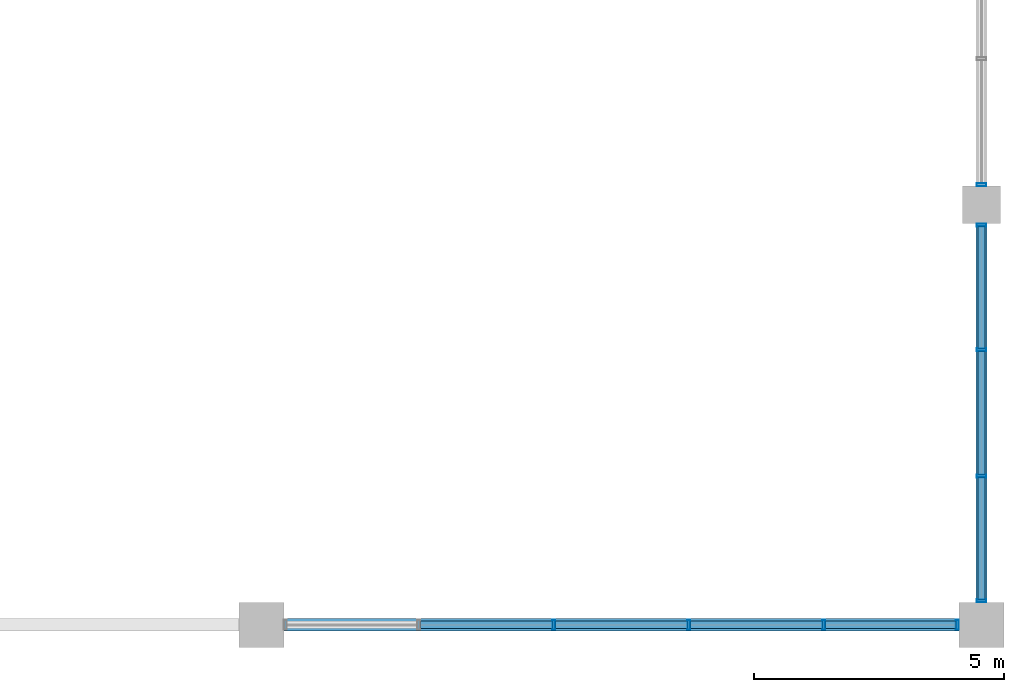
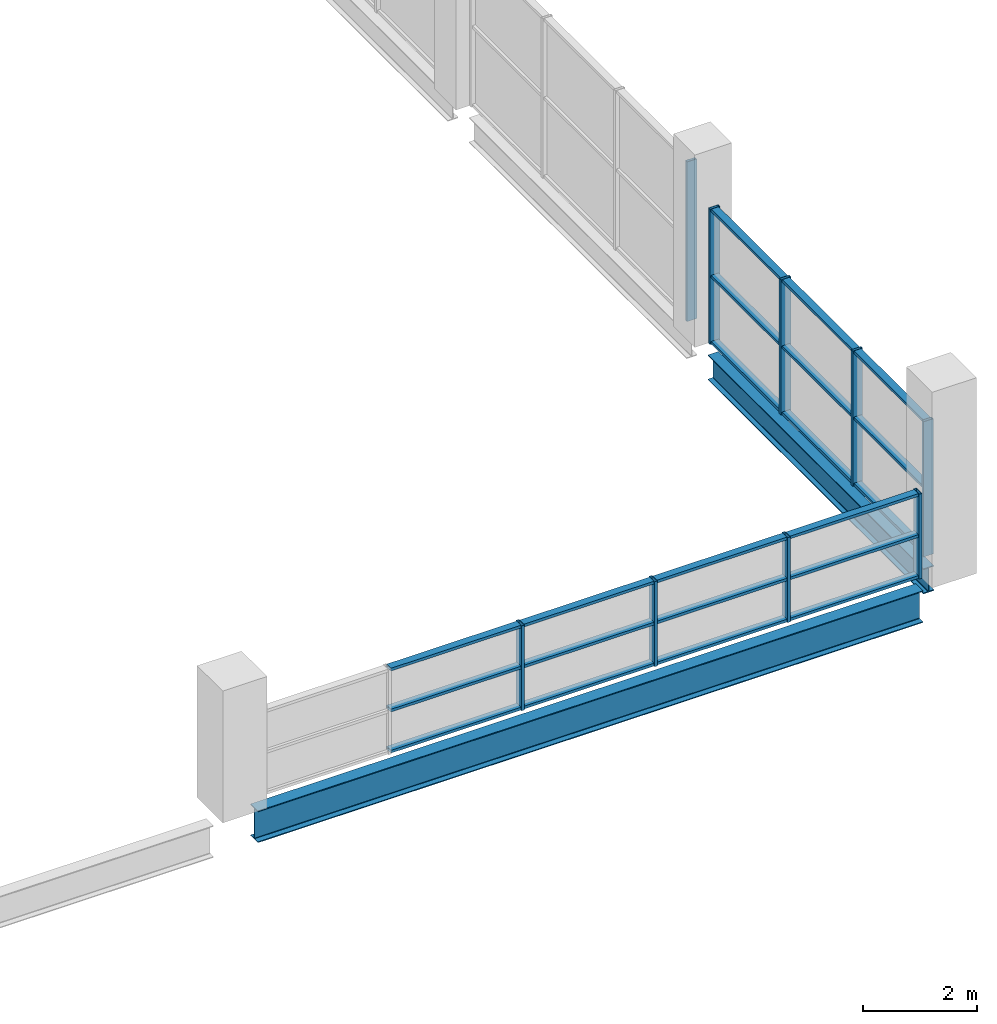
# One storey, part 24 of 68: 30 members, 2 beams, 3 elements without a shape of their own.
"""IFC4 building model written with IfcOpenShell, lengths in metres."""

from ifc_helpers import new_model, si_unit, direction, frame, origin, origin_2d, place, context, subcontext, project, spatial, hollow_rectangle, i_section, extrude, material, material_profile, profile_set, type_object, element, aggregate, save


model = new_model("IFC4")

# Units and contexts
model_context = context("Model", 3, precision=1e-05, world=origin(), true_north=direction((0.0, 1.0)))
body_context = subcontext(model_context, "Body", "Model", "MODEL_VIEW")
ifc_project = project(units=[si_unit("LENGTHUNIT", "METRE"), si_unit("AREAUNIT", "SQUARE_METRE"), si_unit("VOLUMEUNIT", "CUBIC_METRE"), si_unit("PLANEANGLEUNIT", "RADIAN"), si_unit("MASSUNIT", "GRAM", prefix="KILO"), si_unit("THERMODYNAMICTEMPERATUREUNIT", "KELVIN")], contexts=[model_context])

# Site, building, storey
site_placement = place(None, origin())
site = spatial("IfcSite", under=ifc_project, at=site_placement, CompositionType="ELEMENT")
building_placement = place(site_placement, origin())
building = spatial("IfcBuilding", under=site, at=building_placement, Name="Nduvali Passage Aquatics Centre", CompositionType="ELEMENT")
storey_placement = place(building_placement, frame((0.0, 0.0, 13.199951171875)))
storey = spatial("IfcBuildingStorey", under=building, at=storey_placement, Name="L03", CompositionType="ELEMENT", Elevation=13.199951171875)

# Curtain wall, members
ifc_material_1 = material(Name="Aluminium EN AW-6063 T6", Category="aluminium")
curtain_wall_type = type_object("IfcCurtainWallType", Name="ENV-CW-CLER", PredefinedType="NOTDEFINED", material=ifc_material_1)
curtain_wall_1_placement = place(storey_placement, origin())
curtain_wall_1 = element("IfcCurtainWall", 1, at=curtain_wall_1_placement, inside=storey, type_object=curtain_wall_type, Name="L03 East Passage Pool Hall High Arch Clerestory 017", PredefinedType="NOTDEFINED")
ifc_material_profile_1 = material_profile(ifc_material_1, hollow_rectangle(XDim=0.06005859375, YDim=0.199951171875, WallThickness=0.00390625, at=origin_2d()), Name="ALU MULLION 60x200x4")
ifc_profile_set_1 = profile_set([ifc_material_profile_1], Name="Aluminium EN AW-6063 T6")
member_type_1 = type_object("IfcMemberType", Name="ENV-MEM-MUL80", PredefinedType="MULLION", material=ifc_profile_set_1)
member_1_placement = place(storey_placement, frame((126.0, 25.679931640625, 0.0), z_axis=(0.0, 0.0, 1.0), x_axis=(0.0, 1.0, 0.0)))
member_1 = element("IfcMember", 2, at=member_1_placement, type_object=member_type_1, Name="East Passage Pool Hall High Arch Clerestory Mullion 1", PredefinedType="MULLION", context=body_context, shape_type="SweptSolid", body=[
    extrude(hollow_rectangle(XDim=0.06005859375, YDim=0.199951171875, WallThickness=0.00390625, at=origin_2d()), origin(), (0.0, 0.0, 1.0), 2.900146484375),
])
member_2_placement = place(storey_placement, frame((126.0, 28.175048828125, 0.0), z_axis=(0.0, 0.0, 1.0), x_axis=(0.0, 1.0, 0.0)))
member_2 = element("IfcMember", 3, at=member_2_placement, type_object=member_type_1, Name="East Passage Pool Hall High Arch Clerestory Mullion 2", PredefinedType="MULLION", context=body_context, shape_type="SweptSolid", body=[
    extrude(hollow_rectangle(XDim=0.06005859375, YDim=0.199951171875, WallThickness=0.00390625, at=origin_2d()), origin(), (0.0, 0.0, 1.0), 2.900146484375),
])
member_3_placement = place(storey_placement, frame((126.0, 30.699951171875, 0.0), z_axis=(0.0, 0.0, 1.0), x_axis=(0.0, 1.0, 0.0)))
member_3 = element("IfcMember", 4, at=member_3_placement, type_object=member_type_1, Name="East Passage Pool Hall High Arch Clerestory Mullion 3", PredefinedType="MULLION", context=body_context, shape_type="SweptSolid", body=[
    extrude(hollow_rectangle(XDim=0.06005859375, YDim=0.199951171875, WallThickness=0.00390625, at=origin_2d()), origin(), (0.0, 0.0, 1.0), 2.900146484375),
])
member_4_placement = place(storey_placement, frame((126.0, 33.195068359375, 0.0), z_axis=(0.0, 0.0, 1.0), x_axis=(0.0, 1.0, 0.0)))
member_4 = element("IfcMember", 5, at=member_4_placement, type_object=member_type_1, Name="East Passage Pool Hall High Arch Clerestory Mullion 4", PredefinedType="MULLION", context=body_context, shape_type="SweptSolid", body=[
    extrude(hollow_rectangle(XDim=0.06005859375, YDim=0.199951171875, WallThickness=0.00390625, at=origin_2d()), origin(), (0.0, 0.0, 1.0), 2.900146484375),
])

# Curtain wall, member
curtain_wall_2_placement = place(storey_placement, origin())
curtain_wall_2 = element("IfcCurtainWall", 6, at=curtain_wall_2_placement, inside=storey, type_object=curtain_wall_type, Name="L03 East Passage Pool Hall High Arch Clerestory 021", PredefinedType="NOTDEFINED")
member_5_placement = place(storey_placement, frame((126.0, 34.0048828125, 0.0), z_axis=(0.0, 0.0, 1.0), x_axis=(0.0, 1.0, 0.0)))
member_5 = element("IfcMember", 7, at=member_5_placement, type_object=member_type_1, Name="East Passage Pool Hall High Arch Clerestory Mullion 1", PredefinedType="MULLION", context=body_context, shape_type="SweptSolid", body=[
    extrude(hollow_rectangle(XDim=0.06005859375, YDim=0.199951171875, WallThickness=0.00390625, at=origin_2d()), origin(), (0.0, 0.0, 1.0), 3.4267578125),
])
aggregate(curtain_wall_2, [member_5])

# Curtain wall, members
curtain_wall_3_placement = place(storey_placement, origin())
curtain_wall_3 = element("IfcCurtainWall", 8, at=curtain_wall_3_placement, inside=storey, type_object=curtain_wall_type, Name="L03 South Pool Hall Upper Saddle Clerestory 053", PredefinedType="NOTDEFINED")
member_6_placement = place(storey_placement, frame((117.449951171875, 25.199951171875, 0.0), z_axis=(0.0, 0.0, 1.0), x_axis=(1.0, 0.0, 0.0)))
member_6 = element("IfcMember", 9, at=member_6_placement, type_object=member_type_1, Name="South Pool Hall Upper Saddle Clerestory Mullion 3", PredefinedType="MULLION", context=body_context, shape_type="SweptSolid", body=[
    extrude(hollow_rectangle(XDim=0.06005859375, YDim=0.199951171875, WallThickness=0.00390625, at=origin_2d()), origin(), (0.0, 0.0, 1.0), 1.821044921875),
])
member_7_placement = place(storey_placement, frame((120.14990234375, 25.199951171875, 0.0), z_axis=(0.0, 0.0, 1.0), x_axis=(1.0, 0.0, 0.0)))
member_7 = element("IfcMember", 10, at=member_7_placement, type_object=member_type_1, Name="South Pool Hall Upper Saddle Clerestory Mullion 4", PredefinedType="MULLION", context=body_context, shape_type="SweptSolid", body=[
    extrude(hollow_rectangle(XDim=0.06005859375, YDim=0.199951171875, WallThickness=0.00390625, at=origin_2d()), origin(), (0.0, 0.0, 1.0), 1.821044921875),
])
member_8_placement = place(storey_placement, frame((122.85009765625, 25.199951171875, 0.0), z_axis=(0.0, 0.0, 1.0), x_axis=(1.0, 0.0, 0.0)))
member_8 = element("IfcMember", 11, at=member_8_placement, type_object=member_type_1, Name="South Pool Hall Upper Saddle Clerestory Mullion 5", PredefinedType="MULLION", context=body_context, shape_type="SweptSolid", body=[
    extrude(hollow_rectangle(XDim=0.06005859375, YDim=0.199951171875, WallThickness=0.00390625, at=origin_2d()), origin(), (0.0, 0.0, 1.0), 1.821044921875),
])
member_9_placement = place(storey_placement, frame((125.52001953125, 25.199951171875, 0.0), z_axis=(0.0, 0.0, 1.0), x_axis=(1.0, 0.0, 0.0)))
member_9 = element("IfcMember", 12, at=member_9_placement, type_object=member_type_1, Name="South Pool Hall Upper Saddle Clerestory Mullion 6", PredefinedType="MULLION", context=body_context, shape_type="SweptSolid", body=[
    extrude(hollow_rectangle(XDim=0.06005859375, YDim=0.199951171875, WallThickness=0.00390625, at=origin_2d()), origin(), (0.0, 0.0, 1.0), 1.821044921875),
])

# Member
ifc_material_profile_2 = material_profile(ifc_material_1, hollow_rectangle(XDim=0.14990234375, YDim=0.06005859375, WallThickness=0.00390625, at=origin_2d()), Name="ALU TRANSOM 150x60x4")
ifc_profile_set_2 = profile_set([ifc_material_profile_2], Name="Aluminium EN AW-6063 T6")
member_type_2 = type_object("IfcMemberType", Name="ENV-MEM-TRN80", PredefinedType="USERDEFINED", material=ifc_profile_set_2)
member_10_placement = place(storey_placement, frame((126.0, 25.7099609375, 0.030029296875), z_axis=(0.0, 1.0, 0.0), x_axis=(-1.0, 0.0, 0.0)))
member_10 = element("IfcMember", 13, at=member_10_placement, type_object=member_type_2, Name="East Passage Pool Hall High Arch Clerestory Transom B1-R0", ObjectType="TRANSOM", PredefinedType="USERDEFINED", context=body_context, shape_type="SweptSolid", body=[
    extrude(hollow_rectangle(XDim=0.14990234375, YDim=0.06005859375, WallThickness=0.00390625, at=origin_2d()), origin(), (0.0, 0.0, 1.0), 2.43505859375),
])

member_11_placement = place(storey_placement, frame((126.0, 25.7099609375, 1.449951171875), z_axis=(0.0, 1.0, 0.0), x_axis=(-1.0, 0.0, 0.0)))
member_11 = element("IfcMember", 14, at=member_11_placement, type_object=member_type_2, Name="East Passage Pool Hall High Arch Clerestory Transom B1-R1", ObjectType="TRANSOM", PredefinedType="USERDEFINED", context=body_context, shape_type="SweptSolid", body=[
    extrude(hollow_rectangle(XDim=0.14990234375, YDim=0.06005859375, WallThickness=0.00390625, at=origin_2d()), origin(), (0.0, 0.0, 1.0), 2.43505859375),
])

member_12_placement = place(storey_placement, frame((126.0, 25.7099609375, 2.8701171875), z_axis=(0.0, 1.0, 0.0), x_axis=(-1.0, 0.0, 0.0)))
member_12 = element("IfcMember", 15, at=member_12_placement, type_object=member_type_2, Name="East Passage Pool Hall High Arch Clerestory Transom B1-R2", ObjectType="TRANSOM", PredefinedType="USERDEFINED", context=body_context, shape_type="SweptSolid", body=[
    extrude(hollow_rectangle(XDim=0.14990234375, YDim=0.06005859375, WallThickness=0.00390625, at=origin_2d()), origin(), (0.0, 0.0, 1.0), 2.43505859375),
])

member_13_placement = place(storey_placement, frame((126.0, 28.205078125, 0.030029296875), z_axis=(0.0, 1.0, 0.0), x_axis=(-1.0, 0.0, 0.0)))
member_13 = element("IfcMember", 16, at=member_13_placement, type_object=member_type_2, Name="East Passage Pool Hall High Arch Clerestory Transom B2-R0", ObjectType="TRANSOM", PredefinedType="USERDEFINED", context=body_context, shape_type="SweptSolid", body=[
    extrude(hollow_rectangle(XDim=0.14990234375, YDim=0.06005859375, WallThickness=0.00390625, at=origin_2d()), origin(), (0.0, 0.0, 1.0), 2.46484375),
])

member_14_placement = place(storey_placement, frame((126.0, 28.205078125, 1.449951171875), z_axis=(0.0, 1.0, 0.0), x_axis=(-1.0, 0.0, 0.0)))
member_14 = element("IfcMember", 17, at=member_14_placement, type_object=member_type_2, Name="East Passage Pool Hall High Arch Clerestory Transom B2-R1", ObjectType="TRANSOM", PredefinedType="USERDEFINED", context=body_context, shape_type="SweptSolid", body=[
    extrude(hollow_rectangle(XDim=0.14990234375, YDim=0.06005859375, WallThickness=0.00390625, at=origin_2d()), origin(), (0.0, 0.0, 1.0), 2.46484375),
])

member_15_placement = place(storey_placement, frame((126.0, 28.205078125, 2.8701171875), z_axis=(0.0, 1.0, 0.0), x_axis=(-1.0, 0.0, 0.0)))
member_15 = element("IfcMember", 18, at=member_15_placement, type_object=member_type_2, Name="East Passage Pool Hall High Arch Clerestory Transom B2-R2", ObjectType="TRANSOM", PredefinedType="USERDEFINED", context=body_context, shape_type="SweptSolid", body=[
    extrude(hollow_rectangle(XDim=0.14990234375, YDim=0.06005859375, WallThickness=0.00390625, at=origin_2d()), origin(), (0.0, 0.0, 1.0), 2.46484375),
])

member_16_placement = place(storey_placement, frame((126.0, 30.72998046875, 0.030029296875), z_axis=(0.0, 1.0, 0.0), x_axis=(-1.0, 0.0, 0.0)))
member_16 = element("IfcMember", 19, at=member_16_placement, type_object=member_type_2, Name="East Passage Pool Hall High Arch Clerestory Transom B3-R0", ObjectType="TRANSOM", PredefinedType="USERDEFINED", context=body_context, shape_type="SweptSolid", body=[
    extrude(hollow_rectangle(XDim=0.14990234375, YDim=0.06005859375, WallThickness=0.00390625, at=origin_2d()), origin(), (0.0, 0.0, 1.0), 2.43505859375),
])

member_17_placement = place(storey_placement, frame((126.0, 30.72998046875, 1.449951171875), z_axis=(0.0, 1.0, 0.0), x_axis=(-1.0, 0.0, 0.0)))
member_17 = element("IfcMember", 20, at=member_17_placement, type_object=member_type_2, Name="East Passage Pool Hall High Arch Clerestory Transom B3-R1", ObjectType="TRANSOM", PredefinedType="USERDEFINED", context=body_context, shape_type="SweptSolid", body=[
    extrude(hollow_rectangle(XDim=0.14990234375, YDim=0.06005859375, WallThickness=0.00390625, at=origin_2d()), origin(), (0.0, 0.0, 1.0), 2.43505859375),
])

member_18_placement = place(storey_placement, frame((126.0, 30.72998046875, 2.8701171875), z_axis=(0.0, 1.0, 0.0), x_axis=(-1.0, 0.0, 0.0)))
member_18 = element("IfcMember", 21, at=member_18_placement, type_object=member_type_2, Name="East Passage Pool Hall High Arch Clerestory Transom B3-R2", ObjectType="TRANSOM", PredefinedType="USERDEFINED", context=body_context, shape_type="SweptSolid", body=[
    extrude(hollow_rectangle(XDim=0.14990234375, YDim=0.06005859375, WallThickness=0.00390625, at=origin_2d()), origin(), (0.0, 0.0, 1.0), 2.43505859375),
])

aggregate(curtain_wall_1, [member_1, member_2, member_3, member_4, member_10, member_11, member_12, member_13, member_14, member_15, member_16, member_17, member_18])

member_19_placement = place(storey_placement, frame((114.780029296875, 25.199951171875, 0.030029296875), z_axis=(1.0, 0.0, 0.0), x_axis=(0.0, 1.0, 0.0)))
member_19 = element("IfcMember", 22, at=member_19_placement, type_object=member_type_2, Name="South Pool Hall Upper Saddle Clerestory Transom B2-R0", ObjectType="TRANSOM", PredefinedType="USERDEFINED", context=body_context, shape_type="SweptSolid", body=[
    extrude(hollow_rectangle(XDim=0.14990234375, YDim=0.06005859375, WallThickness=0.00390625, at=origin_2d()), origin(), (0.0, 0.0, 1.0), 2.639892578125),
])

member_20_placement = place(storey_placement, frame((114.780029296875, 25.199951171875, 0.91064453125), z_axis=(1.0, 0.0, 0.0), x_axis=(0.0, 1.0, 0.0)))
member_20 = element("IfcMember", 23, at=member_20_placement, type_object=member_type_2, Name="South Pool Hall Upper Saddle Clerestory Transom B2-R1", ObjectType="TRANSOM", PredefinedType="USERDEFINED", context=body_context, shape_type="SweptSolid", body=[
    extrude(hollow_rectangle(XDim=0.14990234375, YDim=0.06005859375, WallThickness=0.00390625, at=origin_2d()), origin(), (0.0, 0.0, 1.0), 2.639892578125),
])

member_21_placement = place(storey_placement, frame((114.780029296875, 25.199951171875, 1.791015625), z_axis=(1.0, 0.0, 0.0), x_axis=(0.0, 1.0, 0.0)))
member_21 = element("IfcMember", 24, at=member_21_placement, type_object=member_type_2, Name="South Pool Hall Upper Saddle Clerestory Transom B2-R2", ObjectType="TRANSOM", PredefinedType="USERDEFINED", context=body_context, shape_type="SweptSolid", body=[
    extrude(hollow_rectangle(XDim=0.14990234375, YDim=0.06005859375, WallThickness=0.00390625, at=origin_2d()), origin(), (0.0, 0.0, 1.0), 2.639892578125),
])

member_22_placement = place(storey_placement, frame((117.47998046875, 25.199951171875, 0.030029296875), z_axis=(1.0, 0.0, 0.0), x_axis=(0.0, 1.0, 0.0)))
member_22 = element("IfcMember", 25, at=member_22_placement, type_object=member_type_2, Name="South Pool Hall Upper Saddle Clerestory Transom B3-R0", ObjectType="TRANSOM", PredefinedType="USERDEFINED", context=body_context, shape_type="SweptSolid", body=[
    extrude(hollow_rectangle(XDim=0.14990234375, YDim=0.06005859375, WallThickness=0.00390625, at=origin_2d()), origin(), (0.0, 0.0, 1.0), 2.64013671875),
])

member_23_placement = place(storey_placement, frame((117.47998046875, 25.199951171875, 0.91064453125), z_axis=(1.0, 0.0, 0.0), x_axis=(0.0, 1.0, 0.0)))
member_23 = element("IfcMember", 26, at=member_23_placement, type_object=member_type_2, Name="South Pool Hall Upper Saddle Clerestory Transom B3-R1", ObjectType="TRANSOM", PredefinedType="USERDEFINED", context=body_context, shape_type="SweptSolid", body=[
    extrude(hollow_rectangle(XDim=0.14990234375, YDim=0.06005859375, WallThickness=0.00390625, at=origin_2d()), origin(), (0.0, 0.0, 1.0), 2.64013671875),
])

member_24_placement = place(storey_placement, frame((117.47998046875, 25.199951171875, 1.791015625), z_axis=(1.0, 0.0, 0.0), x_axis=(0.0, 1.0, 0.0)))
member_24 = element("IfcMember", 27, at=member_24_placement, type_object=member_type_2, Name="South Pool Hall Upper Saddle Clerestory Transom B3-R2", ObjectType="TRANSOM", PredefinedType="USERDEFINED", context=body_context, shape_type="SweptSolid", body=[
    extrude(hollow_rectangle(XDim=0.14990234375, YDim=0.06005859375, WallThickness=0.00390625, at=origin_2d()), origin(), (0.0, 0.0, 1.0), 2.64013671875),
])

member_25_placement = place(storey_placement, frame((120.179931640625, 25.199951171875, 0.030029296875), z_axis=(1.0, 0.0, 0.0), x_axis=(0.0, 1.0, 0.0)))
member_25 = element("IfcMember", 28, at=member_25_placement, type_object=member_type_2, Name="South Pool Hall Upper Saddle Clerestory Transom B4-R0", ObjectType="TRANSOM", PredefinedType="USERDEFINED", context=body_context, shape_type="SweptSolid", body=[
    extrude(hollow_rectangle(XDim=0.14990234375, YDim=0.06005859375, WallThickness=0.00390625, at=origin_2d()), origin(), (0.0, 0.0, 1.0), 2.64013671875),
])

member_26_placement = place(storey_placement, frame((120.179931640625, 25.199951171875, 0.91064453125), z_axis=(1.0, 0.0, 0.0), x_axis=(0.0, 1.0, 0.0)))
member_26 = element("IfcMember", 29, at=member_26_placement, type_object=member_type_2, Name="South Pool Hall Upper Saddle Clerestory Transom B4-R1", ObjectType="TRANSOM", PredefinedType="USERDEFINED", context=body_context, shape_type="SweptSolid", body=[
    extrude(hollow_rectangle(XDim=0.14990234375, YDim=0.06005859375, WallThickness=0.00390625, at=origin_2d()), origin(), (0.0, 0.0, 1.0), 2.64013671875),
])

member_27_placement = place(storey_placement, frame((120.179931640625, 25.199951171875, 1.791015625), z_axis=(1.0, 0.0, 0.0), x_axis=(0.0, 1.0, 0.0)))
member_27 = element("IfcMember", 30, at=member_27_placement, type_object=member_type_2, Name="South Pool Hall Upper Saddle Clerestory Transom B4-R2", ObjectType="TRANSOM", PredefinedType="USERDEFINED", context=body_context, shape_type="SweptSolid", body=[
    extrude(hollow_rectangle(XDim=0.14990234375, YDim=0.06005859375, WallThickness=0.00390625, at=origin_2d()), origin(), (0.0, 0.0, 1.0), 2.64013671875),
])

member_28_placement = place(storey_placement, frame((122.8798828125, 25.199951171875, 0.030029296875), z_axis=(1.0, 0.0, 0.0), x_axis=(0.0, 1.0, 0.0)))
member_28 = element("IfcMember", 31, at=member_28_placement, type_object=member_type_2, Name="South Pool Hall Upper Saddle Clerestory Transom B5-R0", ObjectType="TRANSOM", PredefinedType="USERDEFINED", context=body_context, shape_type="SweptSolid", body=[
    extrude(hollow_rectangle(XDim=0.14990234375, YDim=0.06005859375, WallThickness=0.00390625, at=origin_2d()), origin(), (0.0, 0.0, 1.0), 2.610107421875),
])

member_29_placement = place(storey_placement, frame((122.8798828125, 25.199951171875, 0.91064453125), z_axis=(1.0, 0.0, 0.0), x_axis=(0.0, 1.0, 0.0)))
member_29 = element("IfcMember", 32, at=member_29_placement, type_object=member_type_2, Name="South Pool Hall Upper Saddle Clerestory Transom B5-R1", ObjectType="TRANSOM", PredefinedType="USERDEFINED", context=body_context, shape_type="SweptSolid", body=[
    extrude(hollow_rectangle(XDim=0.14990234375, YDim=0.06005859375, WallThickness=0.00390625, at=origin_2d()), origin(), (0.0, 0.0, 1.0), 2.610107421875),
])

member_30_placement = place(storey_placement, frame((122.8798828125, 25.199951171875, 1.791015625), z_axis=(1.0, 0.0, 0.0), x_axis=(0.0, 1.0, 0.0)))
member_30 = element("IfcMember", 33, at=member_30_placement, type_object=member_type_2, Name="South Pool Hall Upper Saddle Clerestory Transom B5-R2", ObjectType="TRANSOM", PredefinedType="USERDEFINED", context=body_context, shape_type="SweptSolid", body=[
    extrude(hollow_rectangle(XDim=0.14990234375, YDim=0.06005859375, WallThickness=0.00390625, at=origin_2d()), origin(), (0.0, 0.0, 1.0), 2.610107421875),
])

aggregate(curtain_wall_3, [member_6, member_7, member_8, member_9, member_19, member_20, member_21, member_22, member_23, member_24, member_25, member_26, member_27, member_28, member_29, member_30])

# Beams
ifc_material_2 = material(Name="Steel S355", Category="steel")
ifc_material_profile_3 = material_profile(ifc_material_2, i_section(OverallWidth=0.210693359375, OverallDepth=0.53955078125, WebThickness=0.01171875, FlangeThickness=0.018798828125, FilletRadius=0.0126953125, at=origin_2d()), Name="UKB 533x210x109")
ifc_profile_set_3 = profile_set([ifc_material_profile_3], Name="Steel S355")
beam_type_1 = type_object("IfcBeamType", Name="STR-BM-UKB533-EXT", PredefinedType="BEAM", material=ifc_profile_set_3)
beam_1_placement = place(storey_placement, frame((126.0, 25.64990234375, -0.523681640625), z_axis=(0.0, 1.0, 0.0), x_axis=(-1.0, 0.0, 0.0)))
element("IfcBeam", 34, at=beam_1_placement, inside=storey, type_object=beam_type_1, Name="L03 Primary Y-Girder B6E-1273", PredefinedType="BEAM", context=body_context, shape_type="SweptSolid", body=[
    extrude(i_section(OverallWidth=0.210693359375, OverallDepth=0.53955078125, WebThickness=0.01171875, FlangeThickness=0.018798828125, FilletRadius=0.0126953125, at=origin_2d()), origin(), (0.0, 0.0, 1.0), 7.5751953125),
])
ifc_material_profile_4 = material_profile(ifc_material_2, i_section(OverallWidth=0.253662109375, OverallDepth=0.68359375, WebThickness=0.012451171875, FlangeThickness=0.01904296875, FilletRadius=0.01513671875, at=origin_2d()), Name="UKB 686x254x140")
ifc_profile_set_4 = profile_set([ifc_material_profile_4], Name="Steel S355")
beam_type_2 = type_object("IfcBeamType", Name="STR-BM-UKB686-EXT", PredefinedType="BEAM", material=ifc_profile_set_4)
beam_2_placement = place(storey_placement, frame((112.050048828125, 25.199951171875, -0.595703125), z_axis=(1.0, 0.0, 0.0), x_axis=(0.0, 1.0, 0.0)))
element("IfcBeam", 35, at=beam_2_placement, inside=storey, type_object=beam_type_2, Name="L03 Primary X-Girder B4E-1204", PredefinedType="BEAM", context=body_context, shape_type="SweptSolid", body=[
    extrude(i_section(OverallWidth=0.253662109375, OverallDepth=0.68359375, WebThickness=0.012451171875, FlangeThickness=0.01904296875, FilletRadius=0.01513671875, at=origin_2d()), origin(), (0.0, 0.0, 1.0), 13.5),
])

save(model, "model.ifc")
